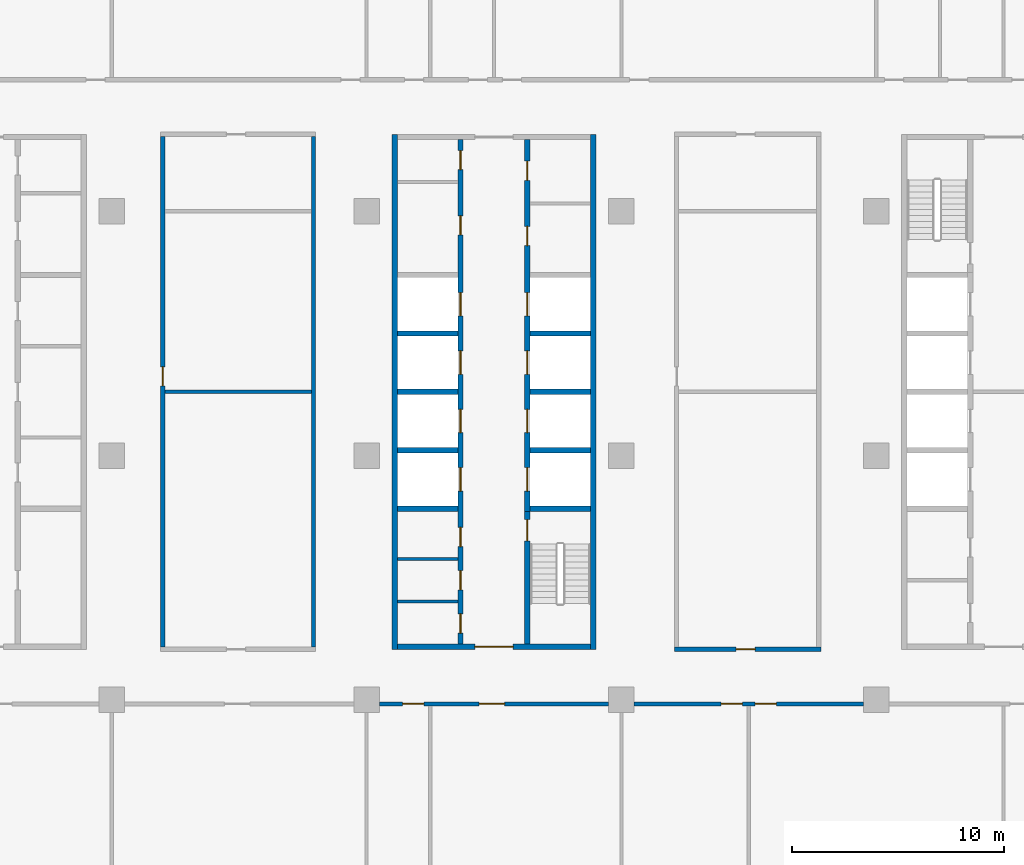
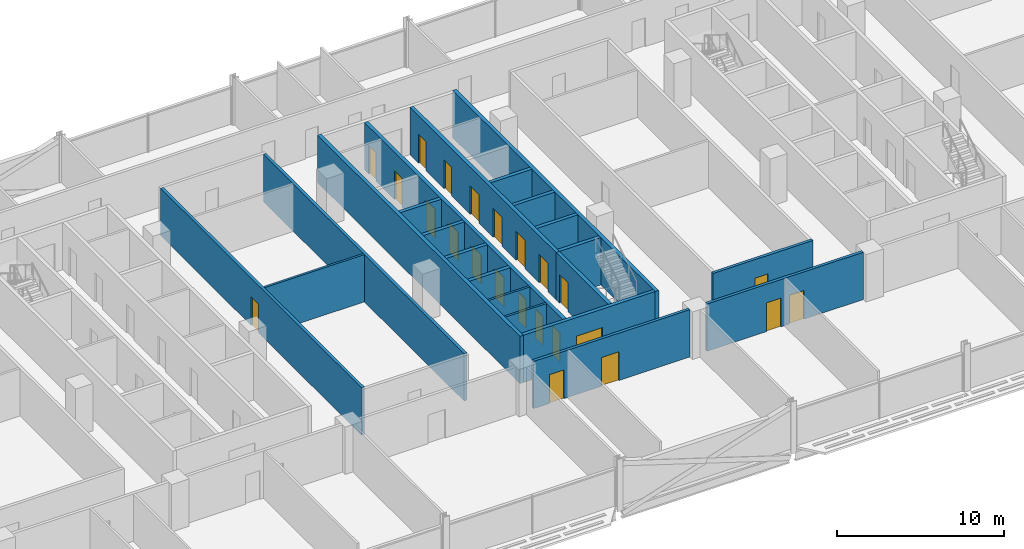
# One storey, part 12 of 27: 23 doors, 22 walls, 23 openings.
"""IFC4 building model written with IfcOpenShell, lengths in metres."""

from ifc_helpers import new_model, si_unit, direction, frame, frame_2d, origin, place, context, subcontext, project, spatial, rectangle, extrude, material, layer, layer_set, type_object, element, fill, save


model = new_model("IFC4")

# Units and contexts
model_context = context("Model", 3, precision=1e-05, world=origin(), true_north=direction((0.0, 1.0)))
body_context = subcontext(model_context, "Body", "Model", "MODEL_VIEW")
ifc_project = project(units=[si_unit("LENGTHUNIT", "METRE"), si_unit("AREAUNIT", "SQUARE_METRE"), si_unit("VOLUMEUNIT", "CUBIC_METRE"), si_unit("PLANEANGLEUNIT", "RADIAN"), si_unit("MASSUNIT", "GRAM", prefix="KILO")], contexts=[model_context])

# Site, building, storey
site_placement = place(None, origin())
site = spatial("IfcSite", under=ifc_project, at=site_placement, CompositionType="ELEMENT")
building_placement = place(site_placement, origin())
building = spatial("IfcBuilding", under=site, at=building_placement, Name="Mahtab Terrace Research Tower", CompositionType="ELEMENT")
storey_placement = place(building_placement, frame((0.0, 0.0, 163.0)))
storey = spatial("IfcBuildingStorey", under=building, at=storey_placement, Name="L38", CompositionType="ELEMENT", Elevation=163.0)

# Walls
ifc_material_1 = material(Name="Gypsum board partition")
ifc_layer_1 = layer(ifc_material_1, 0.14990234375)
ifc_layer_set_1 = layer_set([ifc_layer_1], Name="Core partition 150")
wall_type_1 = type_object("IfcWallType", Name="Core partition 150", PredefinedType="PARTITIONING", material=ifc_layer_set_1)
for number, where, z_axis, x_axis, name in (
    (1, (-4.550048828125, -6.875, 0.0), (0.0, 0.0, 1.0), (1.0, 0.0, 0.0), "Core wall B pWS-988"),
    (2, (-4.550048828125, -4.875, 0.0), (0.0, 0.0, 1.0), (1.0, 0.0, 0.0), "Core wall B pWS-788"),
):
    element("IfcWall", number, at=place(storey_placement, frame(where, z_axis=z_axis, x_axis=x_axis)), inside=storey, type_object=wall_type_1, Name=name, PredefinedType="PARTITIONING", context=body_context, shape_type="SweptSolid", body=[
        extrude(rectangle(XDim=2.85009765625, YDim=0.14990234375, at=frame_2d((1.425048828125, 0.0))), origin(), (0.0, 0.0, 1.0), 3.4599609375),
    ])
ifc_material_2 = material(Name="Concrete C70/85", Category="concrete")
ifc_layer_2 = layer(ifc_material_2, 0.25)
ifc_layer_set_2 = layer_set([ifc_layer_2], Name="Core wall 250")
wall_type_2 = type_object("IfcWallType", Name="Core wall 250", PredefinedType="SOLIDWALL", material=ifc_layer_set_2)
for number, where, z_axis, x_axis, name in (
    (3, (-4.675048828125, 15.125, 0.0), (0.0, 0.0, 1.0), (0.0, -1.0, 0.0), "Core wall B outerW"),
    (4, (4.675048828125, -9.125, 0.0), (0.0, 0.0, 1.0), (0.0, 1.0, 0.0), "Core wall B outerE"),
):
    element("IfcWall", number, at=place(storey_placement, frame(where, z_axis=z_axis, x_axis=x_axis)), inside=storey, type_object=wall_type_2, Name=name, PredefinedType="SOLIDWALL", context=body_context, shape_type="SweptSolid", body=[
        extrude(rectangle(XDim=24.25, YDim=0.25, at=frame_2d((12.125, 0.0))), origin(), (0.0, 0.0, 1.0), 3.4599609375),
    ])

# Wall, opening, door
wall_1_placement = place(storey_placement, frame((4.550048828125, -9.0, 0.0), z_axis=(0.0, 0.0, 1.0), x_axis=(-1.0, 0.0, 0.0)))
wall_1 = element("IfcWall", 5, at=wall_1_placement, inside=storey, type_object=wall_type_2, Name="Core wall B endS", PredefinedType="SOLIDWALL", context=body_context, shape_type="SweptSolid", body=[
    extrude(rectangle(XDim=9.10009765625, YDim=0.25, at=frame_2d((4.550048828125, 0.0))), origin(), (0.0, 0.0, 1.0), 3.4599609375),
])
opening_1_placement = place(wall_1_placement, frame((3.64990234375, 0.0, 0.0)))
opening_1 = element("IfcOpeningElement", 6, at=opening_1_placement, cuts=wall_1, Name="Opening B-S1", PredefinedType="OPENING", context=body_context, shape_type="SweptSolid", body=[
    extrude(rectangle(XDim=1.800048828125, YDim=2.10009765625, at=frame_2d((0.89990234375, 1.050048828125))), frame((0.0, 0.135009765625, 0.0), z_axis=(0.0, -1.0, 0.0), x_axis=(1.0, 0.0, 0.0)), (0.0, 0.0, 1.0), 0.27001953125),
])
ifc_material_3 = material(Name="Steel fire door", Category="steel")
door_type_1 = type_object("IfcDoorType", Name="Lobby double door 1800x2100 1 HR", OperationType="DOUBLE_DOOR_SINGLE_SWING", PredefinedType="DOOR", material=ifc_material_3)
door_1_placement = place(opening_1_placement, origin())
door_1 = element("IfcDoor", 7, at=door_1_placement, inside=storey, type_object=door_type_1, Name="Core entrance door B S", OperationType="DOUBLE_DOOR_SINGLE_SWING", OverallHeight=2.10009765625, OverallWidth=1.800048828125, PredefinedType="DOOR", context=body_context, shape_type="SweptSolid", body=[
    extrude(rectangle(XDim=1.800048828125, YDim=2.10009765625, at=frame_2d((0.89990234375, 1.050048828125))), frame((0.0, 0.02490234375, 0.0), z_axis=(0.0, -1.0, 0.0), x_axis=(1.0, 0.0, 0.0)), (0.0, 0.0, 1.0), 0.050048828125),
])
fill(opening_1, door_1)

# Wall, openings, doors
wall_2_placement = place(storey_placement, frame((-1.574951171875, -8.875, 0.0), z_axis=(0.0, 0.0, 1.0), x_axis=(0.0, 1.0, 0.0)))
wall_2 = element("IfcWall", 8, at=wall_2_placement, inside=storey, type_object=wall_type_2, Name="Core wall B innerWSLN", PredefinedType="SOLIDWALL", context=body_context, shape_type="SweptSolid", body=[
    extrude(rectangle(XDim=23.75, YDim=0.25, at=frame_2d((11.875, 0.0))), origin(), (0.0, 0.0, 1.0), 3.4599609375),
])
opening_2_placement = place(wall_2_placement, frame((7.199951171875, 0.0, 0.0)))
opening_2 = element("IfcOpeningElement", 9, at=opening_2_placement, cuts=wall_2, Name="Opening LD09-L38", PredefinedType="OPENING", context=body_context, shape_type="SweptSolid", body=[
    extrude(rectangle(XDim=1.10009765625, YDim=2.10009765625, at=frame_2d((0.550048828125, 1.050048828125))), frame((0.0, 0.135009765625, 0.0), z_axis=(0.0, -1.0, 0.0), x_axis=(1.0, 0.0, 0.0)), (0.0, 0.0, 1.0), 0.27001953125),
])
opening_3_placement = place(wall_2_placement, frame((9.949951171875, 0.0, 0.0)))
opening_3 = element("IfcOpeningElement", 10, at=opening_3_placement, cuts=wall_2, Name="Opening LD10-L38", PredefinedType="OPENING", context=body_context, shape_type="SweptSolid", body=[
    extrude(rectangle(XDim=1.10009765625, YDim=2.10009765625, at=frame_2d((0.550048828125, 1.050048828125))), frame((0.0, 0.135009765625, 0.0), z_axis=(0.0, -1.0, 0.0), x_axis=(1.0, 0.0, 0.0)), (0.0, 0.0, 1.0), 0.27001953125),
])
opening_4_placement = place(wall_2_placement, frame((12.699951171875, 0.0, 0.0)))
opening_4 = element("IfcOpeningElement", 11, at=opening_4_placement, cuts=wall_2, Name="Opening LD11-L38", PredefinedType="OPENING", context=body_context, shape_type="SweptSolid", body=[
    extrude(rectangle(XDim=1.10009765625, YDim=2.10009765625, at=frame_2d((0.550048828125, 1.050048828125))), frame((0.0, 0.135009765625, 0.0), z_axis=(0.0, -1.0, 0.0), x_axis=(1.0, 0.0, 0.0)), (0.0, 0.0, 1.0), 0.27001953125),
])
opening_5_placement = place(wall_2_placement, frame((15.449951171875, 0.0, 0.0)))
opening_5 = element("IfcOpeningElement", 12, at=opening_5_placement, cuts=wall_2, Name="Opening LD12-L38", PredefinedType="OPENING", context=body_context, shape_type="SweptSolid", body=[
    extrude(rectangle(XDim=1.10009765625, YDim=2.10009765625, at=frame_2d((0.550048828125, 1.050048828125))), frame((0.0, 0.135009765625, 0.0), z_axis=(0.0, -1.0, 0.0), x_axis=(1.0, 0.0, 0.0)), (0.0, 0.0, 1.0), 0.27001953125),
])
opening_6_placement = place(wall_2_placement, frame((0.512451171875, 0.0, 0.0)))
opening_6 = element("IfcOpeningElement", 13, at=opening_6_placement, cuts=wall_2, Name="Opening B-R1", PredefinedType="OPENING", context=body_context, shape_type="SweptSolid", body=[
    extrude(rectangle(XDim=0.89990234375, YDim=2.10009765625, at=frame_2d((0.449951171875, 1.050048828125))), frame((0.0, 0.135009765625, 0.0), z_axis=(0.0, -1.0, 0.0), x_axis=(1.0, 0.0, 0.0)), (0.0, 0.0, 1.0), 0.27001953125),
])
opening_7_placement = place(wall_2_placement, frame((2.550048828125, 0.0, 0.0)))
opening_7 = element("IfcOpeningElement", 14, at=opening_7_placement, cuts=wall_2, Name="Opening B-R2", PredefinedType="OPENING", context=body_context, shape_type="SweptSolid", body=[
    extrude(rectangle(XDim=0.89990234375, YDim=2.10009765625, at=frame_2d((0.449951171875, 1.050048828125))), frame((0.0, 0.135009765625, 0.0), z_axis=(0.0, -1.0, 0.0), x_axis=(1.0, 0.0, 0.0)), (0.0, 0.0, 1.0), 0.27001953125),
])
opening_8_placement = place(wall_2_placement, frame((4.58740234375, 0.0, 0.0)))
opening_8 = element("IfcOpeningElement", 15, at=opening_8_placement, cuts=wall_2, Name="Opening B-R3", PredefinedType="OPENING", context=body_context, shape_type="SweptSolid", body=[
    extrude(rectangle(XDim=0.89990234375, YDim=2.10009765625, at=frame_2d((0.449951171875, 1.050048828125))), frame((0.0, 0.135009765625, 0.0), z_axis=(0.0, -1.0, 0.0), x_axis=(1.0, 0.0, 0.0)), (0.0, 0.0, 1.0), 0.27001953125),
])
opening_9_placement = place(wall_2_placement, frame((19.262451171875, 0.0, 0.0)))
opening_9 = element("IfcOpeningElement", 16, at=opening_9_placement, cuts=wall_2, Name="Opening B-R4", PredefinedType="OPENING", context=body_context, shape_type="SweptSolid", body=[
    extrude(rectangle(XDim=0.89990234375, YDim=2.10009765625, at=frame_2d((0.449951171875, 1.050048828125))), frame((0.0, 0.135009765625, 0.0), z_axis=(0.0, -1.0, 0.0), x_axis=(1.0, 0.0, 0.0)), (0.0, 0.0, 1.0), 0.27001953125),
])
opening_10_placement = place(wall_2_placement, frame((22.33740234375, 0.0, 0.0)))
opening_10 = element("IfcOpeningElement", 17, at=opening_10_placement, cuts=wall_2, Name="Opening B-R5", PredefinedType="OPENING", context=body_context, shape_type="SweptSolid", body=[
    extrude(rectangle(XDim=0.89990234375, YDim=2.10009765625, at=frame_2d((0.449951171875, 1.050048828125))), frame((0.0, 0.135009765625, 0.0), z_axis=(0.0, -1.0, 0.0), x_axis=(1.0, 0.0, 0.0)), (0.0, 0.0, 1.0), 0.27001953125),
])
ifc_material_4 = material(Name="Stainless steel AISI 304", Category="steel")
door_type_2 = type_object("IfcDoorType", Name="Landing door 1100x2100", OperationType="DOUBLE_DOOR_SLIDING", PredefinedType="DOOR", material=ifc_material_4)
door_2_placement = place(opening_2_placement, origin())
door_2 = element("IfcDoor", 18, at=door_2_placement, inside=storey, type_object=door_type_2, Name="Landing door HR1 L38", OperationType="DOUBLE_DOOR_SLIDING", OverallHeight=2.10009765625, OverallWidth=1.10009765625, PredefinedType="DOOR", context=body_context, shape_type="SweptSolid", body=[
    extrude(rectangle(XDim=1.10009765625, YDim=2.10009765625, at=frame_2d((0.550048828125, 1.050048828125))), frame((0.0, 0.02490234375, 0.0), z_axis=(0.0, -1.0, 0.0), x_axis=(1.0, 0.0, 0.0)), (0.0, 0.0, 1.0), 0.050048828125),
])
fill(opening_2, door_2)
door_3_placement = place(opening_3_placement, origin())
door_3 = element("IfcDoor", 19, at=door_3_placement, inside=storey, type_object=door_type_2, Name="Landing door HR2 L38", OperationType="DOUBLE_DOOR_SLIDING", OverallHeight=2.10009765625, OverallWidth=1.10009765625, PredefinedType="DOOR", context=body_context, shape_type="SweptSolid", body=[
    extrude(rectangle(XDim=1.10009765625, YDim=2.10009765625, at=frame_2d((0.550048828125, 1.050048828125))), frame((0.0, 0.02490234375, 0.0), z_axis=(0.0, -1.0, 0.0), x_axis=(1.0, 0.0, 0.0)), (0.0, 0.0, 1.0), 0.050048828125),
])
fill(opening_3, door_3)
door_4_placement = place(opening_4_placement, origin())
door_4 = element("IfcDoor", 20, at=door_4_placement, inside=storey, type_object=door_type_2, Name="Landing door HR3 L38", OperationType="DOUBLE_DOOR_SLIDING", OverallHeight=2.10009765625, OverallWidth=1.10009765625, PredefinedType="DOOR", context=body_context, shape_type="SweptSolid", body=[
    extrude(rectangle(XDim=1.10009765625, YDim=2.10009765625, at=frame_2d((0.550048828125, 1.050048828125))), frame((0.0, 0.02490234375, 0.0), z_axis=(0.0, -1.0, 0.0), x_axis=(1.0, 0.0, 0.0)), (0.0, 0.0, 1.0), 0.050048828125),
])
fill(opening_4, door_4)
door_5_placement = place(opening_5_placement, origin())
door_5 = element("IfcDoor", 21, at=door_5_placement, inside=storey, type_object=door_type_2, Name="Landing door HR4 L38", OperationType="DOUBLE_DOOR_SLIDING", OverallHeight=2.10009765625, OverallWidth=1.10009765625, PredefinedType="DOOR", context=body_context, shape_type="SweptSolid", body=[
    extrude(rectangle(XDim=1.10009765625, YDim=2.10009765625, at=frame_2d((0.550048828125, 1.050048828125))), frame((0.0, 0.02490234375, 0.0), z_axis=(0.0, -1.0, 0.0), x_axis=(1.0, 0.0, 0.0)), (0.0, 0.0, 1.0), 0.050048828125),
])
fill(opening_5, door_5)
door_type_3 = type_object("IfcDoorType", Name="Room door 900x2100 1 HR", OperationType="NOTDEFINED", PredefinedType="DOOR", material=ifc_material_3)
door_6_placement = place(opening_6_placement, origin())
door_6 = element("IfcDoor", 22, at=door_6_placement, inside=storey, type_object=door_type_3, Name="Comms riser room door", OperationType="SINGLE_SWING_LEFT", OverallHeight=2.10009765625, OverallWidth=0.89990234375, PredefinedType="DOOR", context=body_context, shape_type="SweptSolid", body=[
    extrude(rectangle(XDim=0.89990234375, YDim=2.10009765625, at=frame_2d((0.449951171875, 1.050048828125))), frame((0.0, 0.02490234375, 0.0), z_axis=(0.0, -1.0, 0.0), x_axis=(1.0, 0.0, 0.0)), (0.0, 0.0, 1.0), 0.050048828125),
])
fill(opening_6, door_6)
door_7_placement = place(opening_7_placement, origin())
door_7 = element("IfcDoor", 23, at=door_7_placement, inside=storey, type_object=door_type_3, Name="Pantry door", OperationType="SINGLE_SWING_RIGHT", OverallHeight=2.10009765625, OverallWidth=0.89990234375, PredefinedType="DOOR", context=body_context, shape_type="SweptSolid", body=[
    extrude(rectangle(XDim=0.89990234375, YDim=2.10009765625, at=frame_2d((0.449951171875, 1.050048828125))), frame((0.0, 0.02490234375, 0.0), z_axis=(0.0, -1.0, 0.0), x_axis=(1.0, 0.0, 0.0)), (0.0, 0.0, 1.0), 0.050048828125),
])
fill(opening_7, door_7)
door_8_placement = place(opening_8_placement, origin())
door_8 = element("IfcDoor", 24, at=door_8_placement, inside=storey, type_object=door_type_3, Name="Cleaners store door", OperationType="SINGLE_SWING_LEFT", OverallHeight=2.10009765625, OverallWidth=0.89990234375, PredefinedType="DOOR", context=body_context, shape_type="SweptSolid", body=[
    extrude(rectangle(XDim=0.89990234375, YDim=2.10009765625, at=frame_2d((0.449951171875, 1.050048828125))), frame((0.0, 0.02490234375, 0.0), z_axis=(0.0, -1.0, 0.0), x_axis=(1.0, 0.0, 0.0)), (0.0, 0.0, 1.0), 0.050048828125),
])
fill(opening_8, door_8)
door_9_placement = place(opening_9_placement, origin())
door_9 = element("IfcDoor", 25, at=door_9_placement, inside=storey, type_object=door_type_3, Name="IT equipment room door", OperationType="SINGLE_SWING_RIGHT", OverallHeight=2.10009765625, OverallWidth=0.89990234375, PredefinedType="DOOR", context=body_context, shape_type="SweptSolid", body=[
    extrude(rectangle(XDim=0.89990234375, YDim=2.10009765625, at=frame_2d((0.449951171875, 1.050048828125))), frame((0.0, 0.02490234375, 0.0), z_axis=(0.0, -1.0, 0.0), x_axis=(1.0, 0.0, 0.0)), (0.0, 0.0, 1.0), 0.050048828125),
])
fill(opening_9, door_9)
door_10_placement = place(opening_10_placement, origin())
door_10 = element("IfcDoor", 26, at=door_10_placement, inside=storey, type_object=door_type_3, Name="Electrical riser room door", OperationType="SINGLE_SWING_LEFT", OverallHeight=2.10009765625, OverallWidth=0.89990234375, PredefinedType="DOOR", context=body_context, shape_type="SweptSolid", body=[
    extrude(rectangle(XDim=0.89990234375, YDim=2.10009765625, at=frame_2d((0.449951171875, 1.050048828125))), frame((0.0, 0.02490234375, 0.0), z_axis=(0.0, -1.0, 0.0), x_axis=(1.0, 0.0, 0.0)), (0.0, 0.0, 1.0), 0.050048828125),
])
fill(opening_10, door_10)

# Wall, opening, door
wall_3_placement = place(storey_placement, frame((1.574951171875, -8.875, 0.0), z_axis=(0.0, 0.0, 1.0), x_axis=(0.0, 1.0, 0.0)))
wall_3 = element("IfcWall", 27, at=wall_3_placement, inside=storey, type_object=wall_type_2, Name="Core wall B innerES", PredefinedType="SOLIDWALL", context=body_context, shape_type="SweptSolid", body=[
    extrude(rectangle(XDim=6.25, YDim=0.25, at=frame_2d((3.125, 0.0))), origin(), (0.0, 0.0, 1.0), 3.4599609375),
])
opening_11_placement = place(wall_3_placement, frame((4.85009765625, 0.0, 0.0)))
opening_11 = element("IfcOpeningElement", 28, at=opening_11_placement, cuts=wall_3, Name="Opening B-ST2", PredefinedType="OPENING", context=body_context, shape_type="SweptSolid", body=[
    extrude(rectangle(XDim=1.0, YDim=2.10009765625, at=frame_2d((0.5, 1.050048828125))), frame((0.0, 0.135009765625, 0.0), z_axis=(0.0, -1.0, 0.0), x_axis=(1.0, 0.0, 0.0)), (0.0, 0.0, 1.0), 0.27001953125),
])
door_type_4 = type_object("IfcDoorType", Name="Stair door 1000x2100 1.5 HR", OperationType="NOTDEFINED", PredefinedType="DOOR", material=ifc_material_3)
door_11_placement = place(opening_11_placement, origin())
door_11 = element("IfcDoor", 29, at=door_11_placement, inside=storey, type_object=door_type_4, Name="Stair door ST2 L38", OperationType="SINGLE_SWING_RIGHT", OverallHeight=2.10009765625, OverallWidth=1.0, PredefinedType="DOOR", context=body_context, shape_type="SweptSolid", body=[
    extrude(rectangle(XDim=1.0, YDim=2.10009765625, at=frame_2d((0.5, 1.050048828125))), frame((0.0, 0.02490234375, 0.0), z_axis=(0.0, -1.0, 0.0), x_axis=(1.0, 0.0, 0.0)), (0.0, 0.0, 1.0), 0.050048828125),
])
fill(opening_11, door_11)

# Wall, openings, doors
wall_4_placement = place(storey_placement, frame((1.574951171875, 14.875, 0.0), z_axis=(0.0, 0.0, 1.0), x_axis=(0.0, -1.0, 0.0)))
wall_4 = element("IfcWall", 30, at=wall_4_placement, inside=storey, type_object=wall_type_2, Name="Core wall B innerELN", PredefinedType="SOLIDWALL", context=body_context, shape_type="SweptSolid", body=[
    extrude(rectangle(XDim=17.5, YDim=0.25, at=frame_2d((8.75, 0.0))), origin(), (0.0, 0.0, 1.0), 3.4599609375),
])
opening_12_placement = place(wall_4_placement, frame((15.449951171875, 0.0, 0.0)))
opening_12 = element("IfcOpeningElement", 31, at=opening_12_placement, cuts=wall_4, Name="Opening LD13-L38", PredefinedType="OPENING", context=body_context, shape_type="SweptSolid", body=[
    extrude(rectangle(XDim=1.10009765625, YDim=2.10009765625, at=frame_2d((0.550048828125, 1.050048828125))), frame((0.0, 0.135009765625, 0.0), z_axis=(0.0, -1.0, 0.0), x_axis=(1.0, 0.0, 0.0)), (0.0, 0.0, 1.0), 0.27001953125),
])
opening_13_placement = place(wall_4_placement, frame((12.699951171875, 0.0, 0.0)))
opening_13 = element("IfcOpeningElement", 32, at=opening_13_placement, cuts=wall_4, Name="Opening LD14-L38", PredefinedType="OPENING", context=body_context, shape_type="SweptSolid", body=[
    extrude(rectangle(XDim=1.10009765625, YDim=2.10009765625, at=frame_2d((0.550048828125, 1.050048828125))), frame((0.0, 0.135009765625, 0.0), z_axis=(0.0, -1.0, 0.0), x_axis=(1.0, 0.0, 0.0)), (0.0, 0.0, 1.0), 0.27001953125),
])
opening_14_placement = place(wall_4_placement, frame((9.949951171875, 0.0, 0.0)))
opening_14 = element("IfcOpeningElement", 33, at=opening_14_placement, cuts=wall_4, Name="Opening LD15-L38", PredefinedType="OPENING", context=body_context, shape_type="SweptSolid", body=[
    extrude(rectangle(XDim=1.10009765625, YDim=2.10009765625, at=frame_2d((0.550048828125, 1.050048828125))), frame((0.0, 0.135009765625, 0.0), z_axis=(0.0, -1.0, 0.0), x_axis=(1.0, 0.0, 0.0)), (0.0, 0.0, 1.0), 0.27001953125),
])
opening_15_placement = place(wall_4_placement, frame((7.199951171875, 0.0, 0.0)))
opening_15 = element("IfcOpeningElement", 34, at=opening_15_placement, cuts=wall_4, Name="Opening LD16-L38", PredefinedType="OPENING", context=body_context, shape_type="SweptSolid", body=[
    extrude(rectangle(XDim=1.10009765625, YDim=2.10009765625, at=frame_2d((0.550048828125, 1.050048828125))), frame((0.0, 0.135009765625, 0.0), z_axis=(0.0, -1.0, 0.0), x_axis=(1.0, 0.0, 0.0)), (0.0, 0.0, 1.0), 0.27001953125),
])
opening_16_placement = place(wall_4_placement, frame((4.08740234375, 0.0, 0.0)))
opening_16 = element("IfcOpeningElement", 35, at=opening_16_placement, cuts=wall_4, Name="Opening B-R6", PredefinedType="OPENING", context=body_context, shape_type="SweptSolid", body=[
    extrude(rectangle(XDim=0.89990234375, YDim=2.10009765625, at=frame_2d((0.449951171875, 1.050048828125))), frame((0.0, 0.135009765625, 0.0), z_axis=(0.0, -1.0, 0.0), x_axis=(1.0, 0.0, 0.0)), (0.0, 0.0, 1.0), 0.27001953125),
])
opening_17_placement = place(wall_4_placement, frame((1.012451171875, 0.0, 0.0)))
opening_17 = element("IfcOpeningElement", 36, at=opening_17_placement, cuts=wall_4, Name="Opening B-R7", PredefinedType="OPENING", context=body_context, shape_type="SweptSolid", body=[
    extrude(rectangle(XDim=0.89990234375, YDim=2.10009765625, at=frame_2d((0.449951171875, 1.050048828125))), frame((0.0, 0.135009765625, 0.0), z_axis=(0.0, -1.0, 0.0), x_axis=(1.0, 0.0, 0.0)), (0.0, 0.0, 1.0), 0.27001953125),
])
door_12_placement = place(opening_12_placement, origin())
door_12 = element("IfcDoor", 37, at=door_12_placement, inside=storey, type_object=door_type_2, Name="Landing door HR5 L38", OperationType="DOUBLE_DOOR_SLIDING", OverallHeight=2.10009765625, OverallWidth=1.10009765625, PredefinedType="DOOR", context=body_context, shape_type="SweptSolid", body=[
    extrude(rectangle(XDim=1.10009765625, YDim=2.10009765625, at=frame_2d((0.550048828125, 1.050048828125))), frame((0.0, 0.02490234375, 0.0), z_axis=(0.0, -1.0, 0.0), x_axis=(1.0, 0.0, 0.0)), (0.0, 0.0, 1.0), 0.050048828125),
])
fill(opening_12, door_12)
door_13_placement = place(opening_13_placement, origin())
door_13 = element("IfcDoor", 38, at=door_13_placement, inside=storey, type_object=door_type_2, Name="Landing door HR6 L38", OperationType="DOUBLE_DOOR_SLIDING", OverallHeight=2.10009765625, OverallWidth=1.10009765625, PredefinedType="DOOR", context=body_context, shape_type="SweptSolid", body=[
    extrude(rectangle(XDim=1.10009765625, YDim=2.10009765625, at=frame_2d((0.550048828125, 1.050048828125))), frame((0.0, 0.02490234375, 0.0), z_axis=(0.0, -1.0, 0.0), x_axis=(1.0, 0.0, 0.0)), (0.0, 0.0, 1.0), 0.050048828125),
])
fill(opening_13, door_13)
door_14_placement = place(opening_14_placement, origin())
door_14 = element("IfcDoor", 39, at=door_14_placement, inside=storey, type_object=door_type_2, Name="Landing door HR7 L38", OperationType="DOUBLE_DOOR_SLIDING", OverallHeight=2.10009765625, OverallWidth=1.10009765625, PredefinedType="DOOR", context=body_context, shape_type="SweptSolid", body=[
    extrude(rectangle(XDim=1.10009765625, YDim=2.10009765625, at=frame_2d((0.550048828125, 1.050048828125))), frame((0.0, 0.02490234375, 0.0), z_axis=(0.0, -1.0, 0.0), x_axis=(1.0, 0.0, 0.0)), (0.0, 0.0, 1.0), 0.050048828125),
])
fill(opening_14, door_14)
door_15_placement = place(opening_15_placement, origin())
door_15 = element("IfcDoor", 40, at=door_15_placement, inside=storey, type_object=door_type_2, Name="Landing door HR8 L38", OperationType="DOUBLE_DOOR_SLIDING", OverallHeight=2.10009765625, OverallWidth=1.10009765625, PredefinedType="DOOR", context=body_context, shape_type="SweptSolid", body=[
    extrude(rectangle(XDim=1.10009765625, YDim=2.10009765625, at=frame_2d((0.550048828125, 1.050048828125))), frame((0.0, 0.02490234375, 0.0), z_axis=(0.0, -1.0, 0.0), x_axis=(1.0, 0.0, 0.0)), (0.0, 0.0, 1.0), 0.050048828125),
])
fill(opening_15, door_15)
door_16_placement = place(opening_16_placement, origin())
door_16 = element("IfcDoor", 41, at=door_16_placement, inside=storey, type_object=door_type_3, Name="Staff WC door", OperationType="SINGLE_SWING_RIGHT", OverallHeight=2.10009765625, OverallWidth=0.89990234375, PredefinedType="DOOR", context=body_context, shape_type="SweptSolid", body=[
    extrude(rectangle(XDim=0.89990234375, YDim=2.10009765625, at=frame_2d((0.449951171875, 1.050048828125))), frame((0.0, 0.02490234375, 0.0), z_axis=(0.0, -1.0, 0.0), x_axis=(1.0, 0.0, 0.0)), (0.0, 0.0, 1.0), 0.050048828125),
])
fill(opening_16, door_16)
door_17_placement = place(opening_17_placement, origin())
door_17 = element("IfcDoor", 42, at=door_17_placement, inside=storey, type_object=door_type_3, Name="Accessible WC door", OperationType="SINGLE_SWING_LEFT", OverallHeight=2.10009765625, OverallWidth=0.89990234375, PredefinedType="DOOR", context=body_context, shape_type="SweptSolid", body=[
    extrude(rectangle(XDim=0.89990234375, YDim=2.10009765625, at=frame_2d((0.449951171875, 1.050048828125))), frame((0.0, 0.02490234375, 0.0), z_axis=(0.0, -1.0, 0.0), x_axis=(1.0, 0.0, 0.0)), (0.0, 0.0, 1.0), 0.050048828125),
])
fill(opening_17, door_17)

# Walls
for number, where, z_axis, x_axis, name in (
    (43, (-4.550048828125, -2.5, 0.0), (0.0, 0.0, 1.0), (1.0, 0.0, 0.0), "Core wall B divW0"),
    (44, (-4.550048828125, 0.25, 0.0), (0.0, 0.0, 1.0), (1.0, 0.0, 0.0), "Core wall B divW1"),
    (45, (-4.550048828125, 3.0, 0.0), (0.0, 0.0, 1.0), (1.0, 0.0, 0.0), "Core wall B divW2"),
    (46, (-4.550048828125, 5.75, 0.0), (0.0, 0.0, 1.0), (1.0, 0.0, 0.0), "Core wall B divW3"),
    (47, (1.699951171875, -2.5, 0.0), (0.0, 0.0, 1.0), (1.0, 0.0, 0.0), "Core wall B divE0"),
    (48, (1.699951171875, 0.25, 0.0), (0.0, 0.0, 1.0), (1.0, 0.0, 0.0), "Core wall B divE1"),
    (49, (1.699951171875, 3.0, 0.0), (0.0, 0.0, 1.0), (1.0, 0.0, 0.0), "Core wall B divE2"),
    (50, (1.699951171875, 5.75, 0.0), (0.0, 0.0, 1.0), (1.0, 0.0, 0.0), "Core wall B divE3"),
):
    element("IfcWall", number, at=place(storey_placement, frame(where, z_axis=z_axis, x_axis=x_axis)), inside=storey, type_object=wall_type_2, Name=name, PredefinedType="SOLIDWALL", context=body_context, shape_type="SweptSolid", body=[
        extrude(rectangle(XDim=2.85009765625, YDim=0.25, at=frame_2d((1.425048828125, 0.0))), origin(), (0.0, 0.0, 1.0), 3.4599609375),
    ])

# Wall, openings, doors
ifc_material_5 = material(Name="Gypsum board corridor wall on steel studs", Category="steel")
ifc_layer_3 = layer(ifc_material_5, 0.199951171875)
ifc_layer_set_3 = layer_set([ifc_layer_3], Name="WALL CORRIDOR 200")
wall_type_3 = type_object("IfcWallType", Name="WALL CORRIDOR 200", PredefinedType="PARTITIONING", material=ifc_layer_set_3)
wall_5_placement = place(storey_placement, frame((-5.39990234375, -11.699951171875, 0.0), z_axis=(0.0, 0.0, 1.0), x_axis=(1.0, 0.0, 0.0)))
wall_5 = element("IfcWall", 51, at=wall_5_placement, inside=storey, type_object=wall_type_3, Name="L38-W005", PredefinedType="PARTITIONING", context=body_context, shape_type="SweptSolid", body=[
    extrude(rectangle(XDim=10.7998046875, YDim=0.199951171875, at=frame_2d((5.39990234375, 0.0))), origin(), (0.0, 0.0, 1.0), 3.4599609375),
])
opening_18_placement = place(wall_5_placement, frame((1.10009765625, 0.0, 0.0)))
opening_18 = element("IfcOpeningElement", 52, at=opening_18_placement, cuts=wall_5, Name="Opening L38-106", PredefinedType="OPENING", context=body_context, shape_type="SweptSolid", body=[
    extrude(rectangle(XDim=1.0, YDim=2.10009765625, at=frame_2d((0.5, 1.050048828125))), frame((0.0, 0.10986328125, 0.0), z_axis=(0.0, -1.0, 0.0), x_axis=(1.0, 0.0, 0.0)), (0.0, 0.0, 1.0), 0.219970703125),
])
opening_19_placement = place(wall_5_placement, frame((4.699951171875, 0.0, 0.0)))
opening_19 = element("IfcOpeningElement", 53, at=opening_19_placement, cuts=wall_5, Name="Opening L38-107", PredefinedType="OPENING", context=body_context, shape_type="SweptSolid", body=[
    extrude(rectangle(XDim=1.199951171875, YDim=2.10009765625, at=frame_2d((0.60009765625, 1.050048828125))), frame((0.0, 0.10986328125, 0.0), z_axis=(0.0, -1.0, 0.0), x_axis=(1.0, 0.0, 0.0)), (0.0, 0.0, 1.0), 0.219970703125),
])
ifc_material_6 = material(Name="Timber door leaf in steel frame", Category="steel")
door_type_5 = type_object("IfcDoorType", Name="DOOR 1000X2100 FD30S", OperationType="SINGLE_SWING_LEFT", PredefinedType="DOOR", material=ifc_material_6)
door_18_placement = place(opening_18_placement, origin())
door_18 = element("IfcDoor", 54, at=door_18_placement, inside=storey, type_object=door_type_5, Name="Door L38-106", OperationType="SINGLE_SWING_RIGHT", OverallHeight=2.10009765625, OverallWidth=1.0, PredefinedType="DOOR", context=body_context, shape_type="SweptSolid", body=[
    extrude(rectangle(XDim=1.0, YDim=2.10009765625, at=frame_2d((0.5, 1.050048828125))), frame((0.0, 0.02490234375, 0.0), z_axis=(0.0, -1.0, 0.0), x_axis=(1.0, 0.0, 0.0)), (0.0, 0.0, 1.0), 0.050048828125),
])
fill(opening_18, door_18)
door_type_6 = type_object("IfcDoorType", Name="DOOR 1200X2100 FD30S", OperationType="SINGLE_SWING_LEFT", PredefinedType="DOOR", material=ifc_material_6)
door_19_placement = place(opening_19_placement, origin())
door_19 = element("IfcDoor", 55, at=door_19_placement, inside=storey, type_object=door_type_6, Name="Door L38-107", OperationType="SINGLE_SWING_RIGHT", OverallHeight=2.10009765625, OverallWidth=1.199951171875, PredefinedType="DOOR", context=body_context, shape_type="SweptSolid", body=[
    extrude(rectangle(XDim=1.199951171875, YDim=2.10009765625, at=frame_2d((0.60009765625, 1.050048828125))), frame((0.0, 0.02490234375, 0.0), z_axis=(0.0, -1.0, 0.0), x_axis=(1.0, 0.0, 0.0)), (0.0, 0.0, 1.0), 0.050048828125),
])
fill(opening_19, door_19)

wall_6_placement = place(storey_placement, frame((6.60009765625, -11.699951171875, 0.0), z_axis=(0.0, 0.0, 1.0), x_axis=(1.0, 0.0, 0.0)))
wall_6 = element("IfcWall", 56, at=wall_6_placement, inside=storey, type_object=wall_type_3, Name="L38-W006", PredefinedType="PARTITIONING", context=body_context, shape_type="SweptSolid", body=[
    extrude(rectangle(XDim=10.7998046875, YDim=0.199951171875, at=frame_2d((5.39990234375, 0.0))), origin(), (0.0, 0.0, 1.0), 3.4599609375),
])
opening_20_placement = place(wall_6_placement, frame((4.10009765625, 0.0, 0.0)))
opening_20 = element("IfcOpeningElement", 57, at=opening_20_placement, cuts=wall_6, Name="Opening L38-108", PredefinedType="OPENING", context=body_context, shape_type="SweptSolid", body=[
    extrude(rectangle(XDim=1.0, YDim=2.10009765625, at=frame_2d((0.5, 1.050048828125))), frame((0.0, 0.10986328125, 0.0), z_axis=(0.0, -1.0, 0.0), x_axis=(1.0, 0.0, 0.0)), (0.0, 0.0, 1.0), 0.219970703125),
])
opening_21_placement = place(wall_6_placement, frame((5.699951171875, 0.0, 0.0)))
opening_21 = element("IfcOpeningElement", 58, at=opening_21_placement, cuts=wall_6, Name="Opening L38-109", PredefinedType="OPENING", context=body_context, shape_type="SweptSolid", body=[
    extrude(rectangle(XDim=1.0, YDim=2.10009765625, at=frame_2d((0.5, 1.050048828125))), frame((0.0, 0.10986328125, 0.0), z_axis=(0.0, -1.0, 0.0), x_axis=(1.0, 0.0, 0.0)), (0.0, 0.0, 1.0), 0.219970703125),
])
door_20_placement = place(opening_20_placement, origin())
door_20 = element("IfcDoor", 59, at=door_20_placement, inside=storey, type_object=door_type_5, Name="Door L38-108", OperationType="SINGLE_SWING_RIGHT", OverallHeight=2.10009765625, OverallWidth=1.0, PredefinedType="DOOR", context=body_context, shape_type="SweptSolid", body=[
    extrude(rectangle(XDim=1.0, YDim=2.10009765625, at=frame_2d((0.5, 1.050048828125))), frame((0.0, 0.02490234375, 0.0), z_axis=(0.0, -1.0, 0.0), x_axis=(1.0, 0.0, 0.0)), (0.0, 0.0, 1.0), 0.050048828125),
])
fill(opening_20, door_20)
door_21_placement = place(opening_21_placement, origin())
door_21 = element("IfcDoor", 60, at=door_21_placement, inside=storey, type_object=door_type_5, Name="Door L38-109", OperationType="SINGLE_SWING_LEFT", OverallHeight=2.10009765625, OverallWidth=1.0, PredefinedType="DOOR", context=body_context, shape_type="SweptSolid", body=[
    extrude(rectangle(XDim=1.0, YDim=2.10009765625, at=frame_2d((0.5, 1.050048828125))), frame((0.0, 0.02490234375, 0.0), z_axis=(0.0, -1.0, 0.0), x_axis=(1.0, 0.0, 0.0)), (0.0, 0.0, 1.0), 0.050048828125),
])
fill(opening_21, door_21)

# Wall, opening, door
wall_7_placement = place(storey_placement, frame((8.5, -9.125, 0.0), z_axis=(0.0, 0.0, 1.0), x_axis=(1.0, 0.0, 0.0)))
wall_7 = element("IfcWall", 61, at=wall_7_placement, inside=storey, type_object=wall_type_3, Name="L38-W012", PredefinedType="PARTITIONING", context=body_context, shape_type="SweptSolid", body=[
    extrude(rectangle(XDim=6.89990234375, YDim=0.199951171875, at=frame_2d((3.449951171875, 0.0))), origin(), (0.0, 0.0, 1.0), 3.4599609375),
])
opening_22_placement = place(wall_7_placement, frame((2.89990234375, 0.0, 0.0)))
opening_22 = element("IfcOpeningElement", 62, at=opening_22_placement, cuts=wall_7, Name="Opening L38-116", PredefinedType="OPENING", context=body_context, shape_type="SweptSolid", body=[
    extrude(rectangle(XDim=0.89990234375, YDim=2.10009765625, at=frame_2d((0.449951171875, 1.050048828125))), frame((0.0, 0.10986328125, 0.0), z_axis=(0.0, -1.0, 0.0), x_axis=(1.0, 0.0, 0.0)), (0.0, 0.0, 1.0), 0.219970703125),
])
door_type_7 = type_object("IfcDoorType", Name="DOOR 0900X2100 FD30S", OperationType="SINGLE_SWING_LEFT", PredefinedType="DOOR", material=ifc_material_6)
door_22_placement = place(opening_22_placement, origin())
door_22 = element("IfcDoor", 63, at=door_22_placement, inside=storey, type_object=door_type_7, Name="Door L38-116", OperationType="SINGLE_SWING_LEFT", OverallHeight=2.10009765625, OverallWidth=0.89990234375, PredefinedType="DOOR", context=body_context, shape_type="SweptSolid", body=[
    extrude(rectangle(XDim=0.89990234375, YDim=2.10009765625, at=frame_2d((0.449951171875, 1.050048828125))), frame((0.0, 0.02490234375, 0.0), z_axis=(0.0, -1.0, 0.0), x_axis=(1.0, 0.0, 0.0)), (0.0, 0.0, 1.0), 0.050048828125),
])
fill(opening_22, door_22)

wall_8_placement = place(storey_placement, frame((-15.60009765625, -9.02490234375, 0.0), z_axis=(0.0, 0.0, 1.0), x_axis=(0.0, 1.0, 0.0)))
wall_8 = element("IfcWall", 64, at=wall_8_placement, inside=storey, type_object=wall_type_3, Name="L38-W039", PredefinedType="PARTITIONING", context=body_context, shape_type="SweptSolid", body=[
    extrude(rectangle(XDim=24.0498046875, YDim=0.199951171875, at=frame_2d((12.02490234375, 0.0))), origin(), (0.0, 0.0, 1.0), 3.4599609375),
])
opening_23_placement = place(wall_8_placement, frame((12.300048828125, 0.0, 0.0)))
opening_23 = element("IfcOpeningElement", 65, at=opening_23_placement, cuts=wall_8, Name="Opening L38-119", PredefinedType="OPENING", context=body_context, shape_type="SweptSolid", body=[
    extrude(rectangle(XDim=0.89990234375, YDim=2.10009765625, at=frame_2d((0.449951171875, 1.050048828125))), frame((0.0, 0.10986328125, 0.0), z_axis=(0.0, -1.0, 0.0), x_axis=(1.0, 0.0, 0.0)), (0.0, 0.0, 1.0), 0.219970703125),
])
door_23_placement = place(opening_23_placement, origin())
door_23 = element("IfcDoor", 66, at=door_23_placement, inside=storey, type_object=door_type_7, Name="Door L38-119", OperationType="SINGLE_SWING_LEFT", OverallHeight=2.10009765625, OverallWidth=0.89990234375, PredefinedType="DOOR", context=body_context, shape_type="SweptSolid", body=[
    extrude(rectangle(XDim=0.89990234375, YDim=2.10009765625, at=frame_2d((0.449951171875, 1.050048828125))), frame((0.0, 0.02490234375, 0.0), z_axis=(0.0, -1.0, 0.0), x_axis=(1.0, 0.0, 0.0)), (0.0, 0.0, 1.0), 0.050048828125),
])
fill(opening_23, door_23)

# Walls
wall_9_placement = place(storey_placement, frame((-8.5, -9.02490234375, 0.0), z_axis=(0.0, 0.0, 1.0), x_axis=(0.0, 1.0, 0.0)))
element("IfcWall", 67, at=wall_9_placement, inside=storey, type_object=wall_type_3, Name="L38-W040", PredefinedType="PARTITIONING", context=body_context, shape_type="SweptSolid", body=[
    extrude(rectangle(XDim=24.0498046875, YDim=0.199951171875, at=frame_2d((12.02490234375, 0.0))), origin(), (0.0, 0.0, 1.0), 3.4599609375),
])
ifc_material_7 = material(Name="Gypsum board partition on steel studs", Category="steel")
ifc_layer_4 = layer(ifc_material_7, 0.14990234375)
ifc_layer_set_4 = layer_set([ifc_layer_4], Name="WALL PARTITION 150")
wall_type_4 = type_object("IfcWallType", Name="WALL PARTITION 150", PredefinedType="PARTITIONING", material=ifc_layer_set_4)
wall_10_placement = place(storey_placement, frame((-15.5, 3.0, 0.0), z_axis=(0.0, 0.0, 1.0), x_axis=(1.0, 0.0, 0.0)))
element("IfcWall", 68, at=wall_10_placement, inside=storey, type_object=wall_type_4, Name="L38-W015", PredefinedType="PARTITIONING", context=body_context, shape_type="SweptSolid", body=[
    extrude(rectangle(XDim=6.89990234375, YDim=0.14990234375, at=frame_2d((3.449951171875, 0.0))), origin(), (0.0, 0.0, 1.0), 3.4599609375),
])

save(model, "model.ifc")
